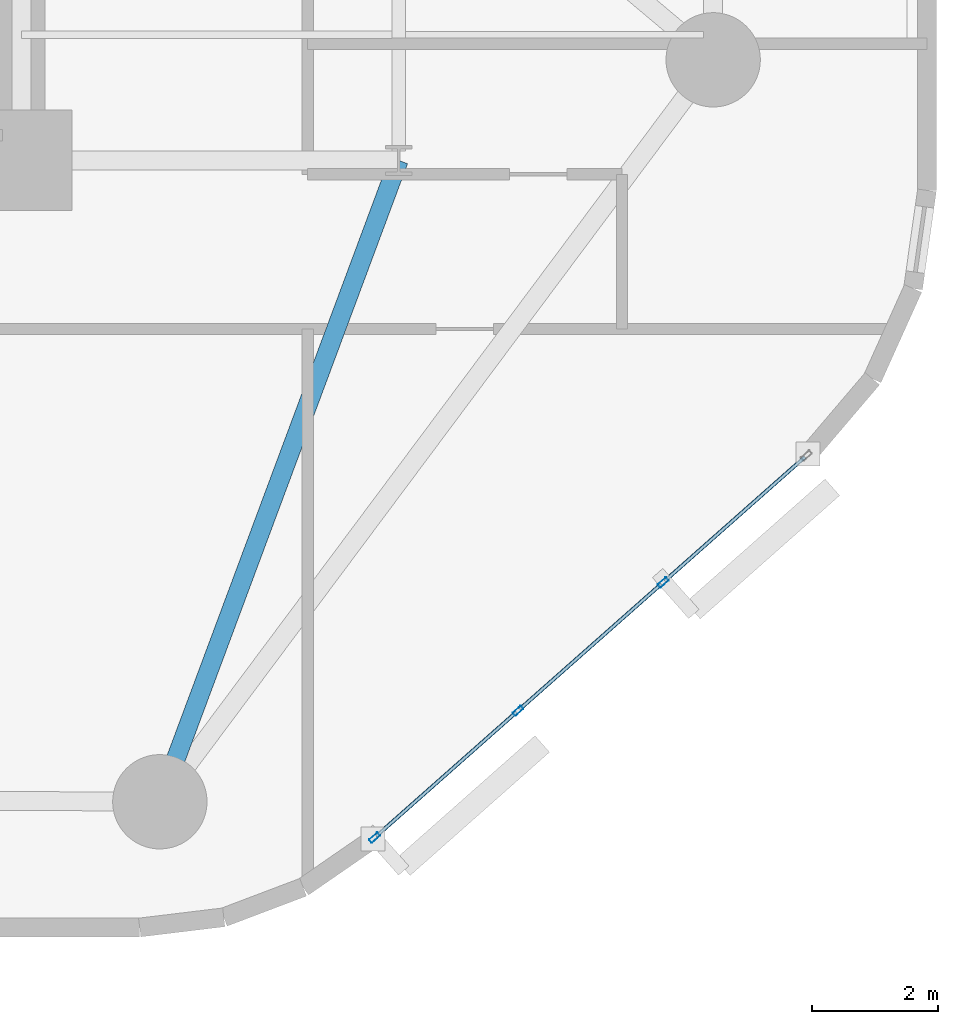
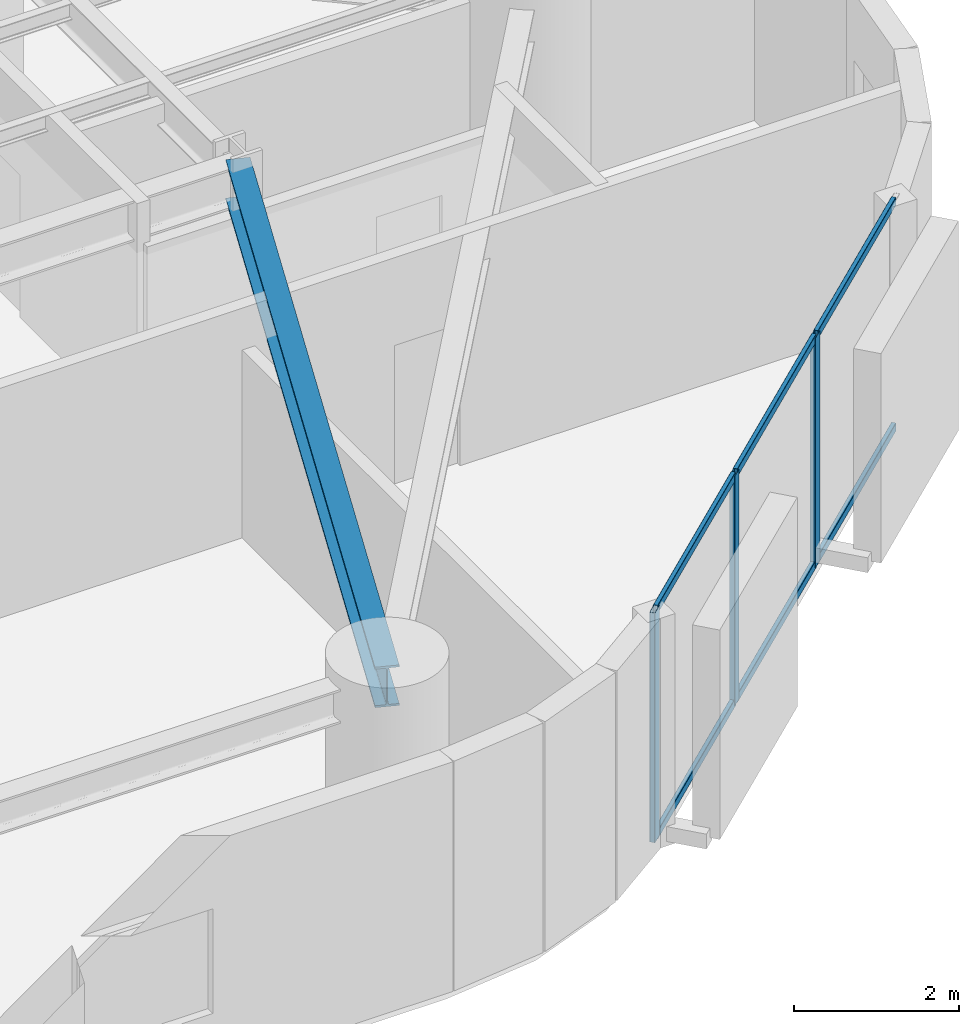
# One storey, part 2 of 16: 9 members, 1 beam, 1 element without a shape of its own.
"""IFC4 building model written with IfcOpenShell, lengths in metres."""

from ifc_helpers import new_model, si_unit, direction, frame, origin, origin_2d, place, context, subcontext, project, spatial, hollow_rectangle, i_section, extrude, material, layer, layer_set, material_profile, profile_set, type_object, element, aggregate, save


model = new_model("IFC4")

# Units and contexts
model_context = context("Model", 3, precision=1e-05, world=origin(), true_north=direction((0.0, 1.0)))
body_context = subcontext(model_context, "Body", "Model", "MODEL_VIEW")
ifc_project = project(units=[si_unit("LENGTHUNIT", "METRE"), si_unit("AREAUNIT", "SQUARE_METRE"), si_unit("VOLUMEUNIT", "CUBIC_METRE"), si_unit("PLANEANGLEUNIT", "RADIAN"), si_unit("MASSUNIT", "GRAM", prefix="KILO")], contexts=[model_context])

# Site, building, storey
site_placement = place(None, origin())
site = spatial("IfcSite", under=ifc_project, at=site_placement, CompositionType="ELEMENT")
building_placement = place(site_placement, origin())
building = spatial("IfcBuilding", under=site, at=building_placement, Name="An Khanh Terracotta Commons", CompositionType="ELEMENT")
storey_placement = place(building_placement, frame((0.0, 0.0, 46.800048828125)))
storey = spatial("IfcBuildingStorey", under=building, at=storey_placement, Name="L12", CompositionType="ELEMENT", Elevation=46.800048828125)

# Beam
ifc_material_1 = material(Name="Steel S355J2", Category="steel")
ifc_material_profile_1 = material_profile(ifc_material_1, i_section(OverallWidth=0.300048828125, OverallDepth=0.60009765625, WebThickness=0.015380859375, FlangeThickness=0.030029296875, FilletRadius=0.027099609375, at=origin_2d()), Name="HEB600")
ifc_profile_set_1 = profile_set([ifc_material_profile_1], Name="Steel S355J2")
beam_type = type_object("IfcBeamType", Name="BM-HEB600", PredefinedType="BEAM", material=ifc_profile_set_1)
beam_placement = place(storey_placement, frame((39.39990234375, 4.199951171875, 3.099853515625), z_axis=(0.349114429862, 0.937080100558, 0.0), x_axis=(-0.937080100558, 0.349114429862, 0.0)))
element("IfcBeam", 1, at=beam_placement, inside=storey, type_object=beam_type, Name="L12 Mega-Column Tie Girder 2", PredefinedType="BEAM", context=body_context, shape_type="SweptSolid", body=[
    extrude(i_section(OverallWidth=0.300048828125, OverallDepth=0.60009765625, WebThickness=0.015380859375, FlangeThickness=0.030029296875, FilletRadius=0.027099609375, at=origin_2d()), origin(), (0.0, 0.0, 1.0), 10.884765625),
])

# Curtain wall, members
ifc_material_2 = material(Name="Anodised Aluminium 6063-T6", Category="aluminium")
ifc_layer = layer(ifc_material_2, 0.199951171875, Name="Anodised Aluminium 6063-T6")
ifc_layer_set = layer_set([ifc_layer], Name="Anodised Aluminium 6063-T6")
curtain_wall_type = type_object("IfcCurtainWallType", Name="CW-SYS-02", PredefinedType="USERDEFINED", material=ifc_layer_set)
curtain_wall_placement = place(storey_placement, origin())
curtain_wall = element("IfcCurtainWall", 2, at=curtain_wall_placement, inside=storey, type_object=curtain_wall_type, Name="L12 CW-02 Unitised Curtain Wall CW-L12-08", ObjectType="UNITISED CURTAIN WALL", PredefinedType="USERDEFINED")
ifc_material_profile_2 = material_profile(ifc_material_2, hollow_rectangle(XDim=0.070068359375, YDim=0.179931640625, WallThickness=0.00390625, InnerFilletRadius=0.00390625, OuterFilletRadius=0.008056640625, at=origin_2d()), Name="RHS180x70x4")
ifc_profile_set_2 = profile_set([ifc_material_profile_2], Name="Anodised Aluminium 6063-T6")
member_type_1 = type_object("IfcMemberType", Name="CWM-RHS180x70x4", PredefinedType="MULLION", material=ifc_profile_set_2)
member_1_placement = place(storey_placement, frame((42.815185546875, 3.629150390625, 0.0), z_axis=(0.0, 0.0, 1.0), x_axis=(-0.662548195415, 0.749019284633, 0.0)))
member_1 = element("IfcMember", 3, at=member_1_placement, type_object=member_type_1, Name="CW-02 mullion 1", PredefinedType="MULLION", context=body_context, shape_type="SweptSolid", body=[
    extrude(hollow_rectangle(XDim=0.070068359375, YDim=0.179931640625, WallThickness=0.00390625, InnerFilletRadius=0.00390625, OuterFilletRadius=0.008056640625, at=origin_2d()), origin(), (0.0, 0.0, 1.0), 3.39990234375),
])
member_2_placement = place(storey_placement, frame((45.095947265625, 5.646728515625, 0.0), z_axis=(0.0, 0.0, 1.0), x_axis=(-0.662548195415, 0.749019284633, 0.0)))
member_2 = element("IfcMember", 4, at=member_2_placement, type_object=member_type_1, Name="CW-02 mullion 2", PredefinedType="MULLION", context=body_context, shape_type="SweptSolid", body=[
    extrude(hollow_rectangle(XDim=0.070068359375, YDim=0.179931640625, WallThickness=0.00390625, InnerFilletRadius=0.00390625, OuterFilletRadius=0.008056640625, at=origin_2d()), origin(), (0.0, 0.0, 1.0), 3.39990234375),
])
member_3_placement = place(storey_placement, frame((47.403076171875, 7.687255859375, 0.0), z_axis=(0.0, 0.0, 1.0), x_axis=(-0.662548195415, 0.749019284633, 0.0)))
member_3 = element("IfcMember", 5, at=member_3_placement, type_object=member_type_1, Name="CW-02 mullion 3", PredefinedType="MULLION", context=body_context, shape_type="SweptSolid", body=[
    extrude(hollow_rectangle(XDim=0.070068359375, YDim=0.179931640625, WallThickness=0.00390625, InnerFilletRadius=0.00390625, OuterFilletRadius=0.008056640625, at=origin_2d()), origin(), (0.0, 0.0, 1.0), 3.39990234375),
])
ifc_material_profile_3 = material_profile(ifc_material_2, hollow_rectangle(XDim=0.06005859375, YDim=0.1201171875, WallThickness=0.003662109375, InnerFilletRadius=0.003662109375, OuterFilletRadius=0.007080078125, at=origin_2d()), Name="RHS120x60x3.6")
ifc_profile_set_3 = profile_set([ifc_material_profile_3], Name="Anodised Aluminium 6063-T6")
member_type_2 = type_object("IfcMemberType", Name="CWT-RHS120x60x3.6", PredefinedType="USERDEFINED", material=ifc_profile_set_3)
member_4_placement = place(storey_placement, frame((42.841552734375, 3.65234375, 0.030029296875), z_axis=(0.74899186341, 0.662579194168, 0.0), x_axis=(-0.662579194168, 0.74899186341, 0.0)))
member_4 = element("IfcMember", 6, at=member_4_placement, type_object=member_type_2, Name="CW-02 transom 1.1", ObjectType="TRANSOM", PredefinedType="USERDEFINED", context=body_context, shape_type="SweptSolid", body=[
    extrude(hollow_rectangle(XDim=0.06005859375, YDim=0.1201171875, WallThickness=0.003662109375, InnerFilletRadius=0.003662109375, OuterFilletRadius=0.007080078125, at=origin_2d()), origin(), (0.0, 0.0, 1.0), 2.97509765625),
])
member_5_placement = place(storey_placement, frame((42.841552734375, 3.65234375, 3.369873046875), z_axis=(0.74899186341, 0.662579194168, 0.0), x_axis=(-0.662579194168, 0.74899186341, 0.0)))
member_5 = element("IfcMember", 7, at=member_5_placement, type_object=member_type_2, Name="CW-02 transom 1.2", ObjectType="TRANSOM", PredefinedType="USERDEFINED", context=body_context, shape_type="SweptSolid", body=[
    extrude(hollow_rectangle(XDim=0.06005859375, YDim=0.1201171875, WallThickness=0.003662109375, InnerFilletRadius=0.003662109375, OuterFilletRadius=0.007080078125, at=origin_2d()), origin(), (0.0, 0.0, 1.0), 2.97509765625),
])
member_6_placement = place(storey_placement, frame((45.122314453125, 5.669921875, 0.030029296875), z_axis=(0.749018237701, 0.662549378984, 0.0), x_axis=(-0.662549378984, 0.749018237701, 0.0)))
member_6 = element("IfcMember", 8, at=member_6_placement, type_object=member_type_2, Name="CW-02 transom 2.1", ObjectType="TRANSOM", PredefinedType="USERDEFINED", context=body_context, shape_type="SweptSolid", body=[
    extrude(hollow_rectangle(XDim=0.06005859375, YDim=0.1201171875, WallThickness=0.003662109375, InnerFilletRadius=0.003662109375, OuterFilletRadius=0.007080078125, at=origin_2d()), origin(), (0.0, 0.0, 1.0), 3.009765625),
])
member_7_placement = place(storey_placement, frame((45.122314453125, 5.669921875, 3.369873046875), z_axis=(0.749018237701, 0.662549378984, 0.0), x_axis=(-0.662549378984, 0.749018237701, 0.0)))
member_7 = element("IfcMember", 9, at=member_7_placement, type_object=member_type_2, Name="CW-02 transom 2.2", ObjectType="TRANSOM", PredefinedType="USERDEFINED", context=body_context, shape_type="SweptSolid", body=[
    extrude(hollow_rectangle(XDim=0.06005859375, YDim=0.1201171875, WallThickness=0.003662109375, InnerFilletRadius=0.003662109375, OuterFilletRadius=0.007080078125, at=origin_2d()), origin(), (0.0, 0.0, 1.0), 3.009765625),
])
member_8_placement = place(storey_placement, frame((47.42919921875, 7.71044921875, 0.030029296875), z_axis=(0.74899186341, 0.662579194168, 0.0), x_axis=(-0.662579194168, 0.74899186341, 0.0)))
member_8 = element("IfcMember", 10, at=member_8_placement, type_object=member_type_2, Name="CW-02 transom 3.1", ObjectType="TRANSOM", PredefinedType="USERDEFINED", context=body_context, shape_type="SweptSolid", body=[
    extrude(hollow_rectangle(XDim=0.06005859375, YDim=0.1201171875, WallThickness=0.003662109375, InnerFilletRadius=0.003662109375, OuterFilletRadius=0.007080078125, at=origin_2d()), origin(), (0.0, 0.0, 1.0), 2.97509765625),
])
member_9_placement = place(storey_placement, frame((47.42919921875, 7.71044921875, 3.369873046875), z_axis=(0.74899186341, 0.662579194168, 0.0), x_axis=(-0.662579194168, 0.74899186341, 0.0)))
member_9 = element("IfcMember", 11, at=member_9_placement, type_object=member_type_2, Name="CW-02 transom 3.2", ObjectType="TRANSOM", PredefinedType="USERDEFINED", context=body_context, shape_type="SweptSolid", body=[
    extrude(hollow_rectangle(XDim=0.06005859375, YDim=0.1201171875, WallThickness=0.003662109375, InnerFilletRadius=0.003662109375, OuterFilletRadius=0.007080078125, at=origin_2d()), origin(), (0.0, 0.0, 1.0), 2.97509765625),
])
aggregate(curtain_wall, [member_1, member_2, member_3, member_4, member_5, member_6, member_7, member_8, member_9])

save(model, "model.ifc")
